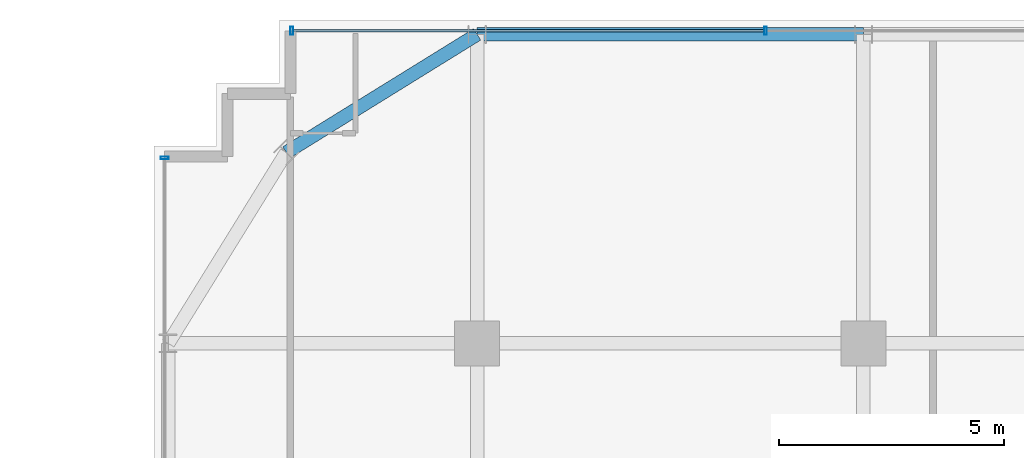
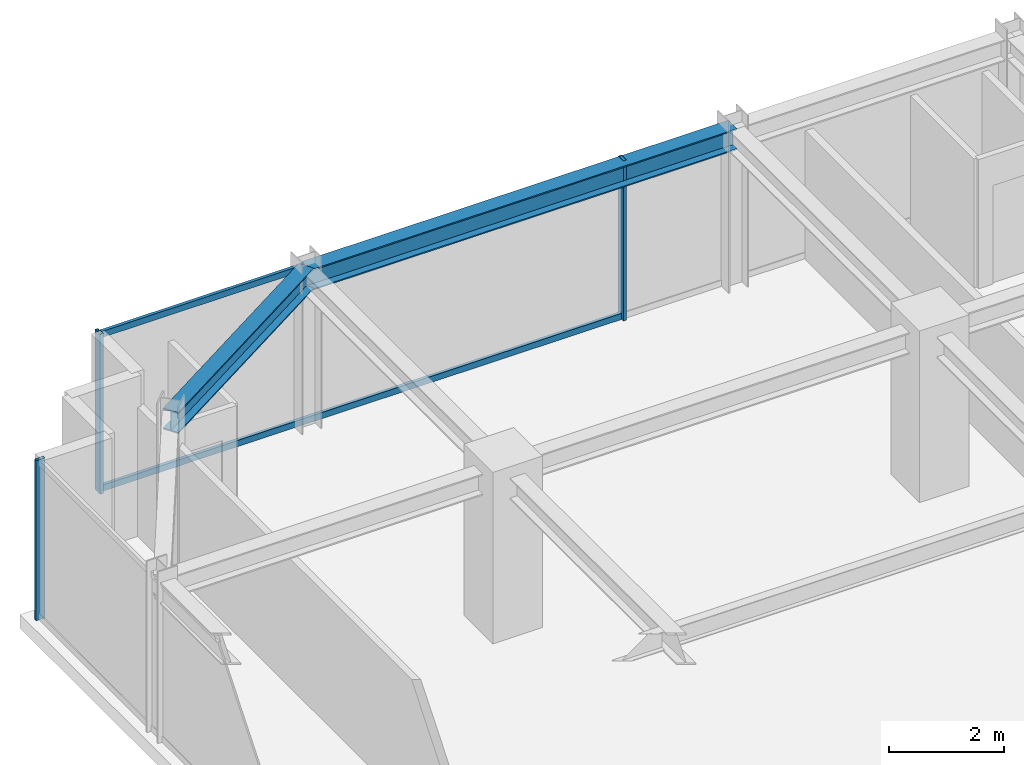
# One storey, part 19 of 32: 5 members, 2 beams, 2 elements without a shape of their own.
"""IFC4 building model written with IfcOpenShell, lengths in metres."""

from ifc_helpers import new_model, si_unit, direction, frame, origin, origin_2d, place, context, subcontext, project, spatial, hollow_rectangle, i_section, extrude, source, transform, mapped, material, material_profile, profile_set, type_object, element, aggregate, save


model = new_model("IFC4")

# Units and contexts
model_context = context("Model", 3, precision=1e-05, world=origin(), true_north=direction((0.0, 1.0)))
body_context = subcontext(model_context, "Body", "Model", "MODEL_VIEW")
ifc_project = project(units=[si_unit("LENGTHUNIT", "METRE"), si_unit("AREAUNIT", "SQUARE_METRE"), si_unit("VOLUMEUNIT", "CUBIC_METRE"), si_unit("PLANEANGLEUNIT", "RADIAN"), si_unit("MASSUNIT", "GRAM", prefix="KILO")], contexts=[model_context])

# Site, building, storey
site_placement = place(None, origin())
site = spatial("IfcSite", under=ifc_project, at=site_placement, CompositionType="ELEMENT")
building_placement = place(site_placement, origin())
building = spatial("IfcBuilding", under=site, at=building_placement, Name="Nahalor Promenade Grand Hotel", CompositionType="ELEMENT")
storey_placement = place(building_placement, frame((0.0, 0.0, 230.800048828125)))
storey = spatial("IfcBuildingStorey", under=building, at=storey_placement, Name="L59", CompositionType="ELEMENT", Elevation=230.800048828125)

# Beams
ifc_material_1 = material(Name="Steel S355JR", Category="steel")
ifc_material_profile_1 = material_profile(ifc_material_1, i_section(OverallWidth=0.3, OverallDepth=0.45, WebThickness=0.014, FlangeThickness=0.026, at=origin_2d()), Name="HEB 450")
ifc_profile_set_1 = profile_set([ifc_material_profile_1], Name="Steel S355JR")
beam_type = type_object("IfcBeamType", Name="Beam-Spandrel-HEB450", PredefinedType="SPANDREL", material=ifc_profile_set_1)
shared_shape_1 = source(origin(), body_context, "Body", "SweptSolid", [
    extrude(i_section(OverallWidth=0.3, OverallDepth=0.45, WebThickness=0.014, FlangeThickness=0.026, at=origin_2d()), origin(), (0.0, 0.0, 1.0), 8.60009765625),
])
beam_1_placement = place(storey_placement, frame((-17.0, 23.8798828125, 3.18505859375), z_axis=(1.0, 0.0, 0.0), x_axis=(0.0, 1.0, 0.0)))
element("IfcBeam", 1, at=beam_1_placement, inside=storey, type_object=beam_type, Name="BM-L59-SP-N-0", PredefinedType="SPANDREL", context=body_context, shape_type="MappedRepresentation", body=[
    mapped(shared_shape_1, transform((0.0, 0.0, 0.0), scale=1.0)),
])
shared_shape_2 = source(origin(), body_context, "Body", "SweptSolid", [
    extrude(i_section(OverallWidth=0.3, OverallDepth=0.45, WebThickness=0.014, FlangeThickness=0.026, at=origin_2d()), origin(), (0.0, 0.0, 1.0), 4.997802734375),
])
beam_2_placement = place(storey_placement, frame((-17.0, 23.8798828125, 3.18505859375), z_axis=(-0.850360908404, -0.526199891161, 0.0), x_axis=(0.526199891161, -0.850360908404, 0.0)))
element("IfcBeam", 2, at=beam_2_placement, inside=storey, type_object=beam_type, Name="BM-L59-SPC-NW-1", PredefinedType="SPANDREL", context=body_context, shape_type="MappedRepresentation", body=[
    mapped(shared_shape_2, transform((0.0, 0.0, 0.0), scale=1.0)),
])

# Curtain wall, members
ifc_material_2 = material(Name="Anodised Bronze Aluminium EN AW-6063 T6", Category="aluminium")
curtain_wall_type = type_object("IfcCurtainWallType", Name="CW2 Typical Hotel Flush Bronze Unitised Curtain Wall", PredefinedType="USERDEFINED", material=ifc_material_2)
curtain_wall_1_placement = place(storey_placement, origin())
curtain_wall_1 = element("IfcCurtainWall", 3, at=curtain_wall_1_placement, inside=storey, type_object=curtain_wall_type, Name="L59 Curtain Wall CW-L59-N-1", ObjectType="UNITISED_CURTAIN_WALL", PredefinedType="USERDEFINED")
ifc_material_profile_2 = material_profile(ifc_material_2, hollow_rectangle(XDim=0.065, YDim=0.13, WallThickness=0.004, at=origin_2d()), Name="CWT 65x130x4")
ifc_profile_set_2 = profile_set([ifc_material_profile_2], Name="Anodised Bronze Aluminium EN AW-6063 T6")
member_type_1 = type_object("IfcMemberType", Name="CWT2 Typical Bronze Transom 65x130", PredefinedType="USERDEFINED", material=ifc_profile_set_2)
shared_shape_3 = source(origin(), body_context, "Body", "SweptSolid", [
    extrude(hollow_rectangle(XDim=0.065, YDim=0.13, WallThickness=0.004, at=origin_2d()), origin(), (0.0, 0.0, 1.0), 10.482421875),
])
member_1_placement = place(storey_placement, frame((-21.094970703125, 23.9599609375, 0.06494140625), z_axis=(1.0, 0.0, 0.0), x_axis=(0.0, 1.0, 0.0)))
member_1 = element("IfcMember", 4, at=member_1_placement, type_object=member_type_1, Name="CW-L59-N-1 Transom 0-0", ObjectType="TRANSOM", PredefinedType="USERDEFINED", context=body_context, shape_type="MappedRepresentation", body=[
    mapped(shared_shape_3, transform((0.0, 0.0, 0.0), scale=1.0)),
])
member_2_placement = place(storey_placement, frame((-21.094970703125, 23.9599609375, 3.344970703125), z_axis=(1.0, 0.0, 0.0), x_axis=(0.0, 1.0, 0.0)))
member_2 = element("IfcMember", 5, at=member_2_placement, type_object=member_type_1, Name="CW-L59-N-1 Transom 0-1", ObjectType="TRANSOM", PredefinedType="USERDEFINED", context=body_context, shape_type="MappedRepresentation", body=[
    mapped(shared_shape_3, transform((0.0, 0.0, 0.0), scale=1.0)),
])
ifc_material_profile_3 = material_profile(ifc_material_2, hollow_rectangle(XDim=0.065, YDim=0.18, WallThickness=0.004, at=origin_2d()), Name="CWM 65x180x4")
ifc_profile_set_3 = profile_set([ifc_material_profile_3], Name="Anodised Bronze Aluminium EN AW-6063 T6")
member_type_2 = type_object("IfcMemberType", Name="CWM2 Typical Bronze Mullion 65x180", PredefinedType="MULLION", material=ifc_profile_set_3)
shared_shape_4 = source(origin(), body_context, "Body", "SweptSolid", [
    extrude(hollow_rectangle(XDim=0.065, YDim=0.18, WallThickness=0.004, at=origin_2d()), origin(), (0.0, 0.0, 1.0), 3.409912109375),
])
member_3_placement = place(storey_placement, frame((-21.12744140625, 23.9599609375, 0.0), z_axis=(0.0, 0.0, 1.0), x_axis=(1.0, 0.0, 0.0)))
member_3 = element("IfcMember", 6, at=member_3_placement, type_object=member_type_2, Name="CW-L59-N-1 Mullion 0", PredefinedType="MULLION", context=body_context, shape_type="MappedRepresentation", body=[
    mapped(shared_shape_4, transform((0.0, 0.0, 0.0), scale=1.0)),
])
member_4_placement = place(storey_placement, frame((-10.580078125, 23.9599609375, 0.0), z_axis=(0.0, 0.0, 1.0), x_axis=(1.0, 0.0, 0.0)))
member_4 = element("IfcMember", 7, at=member_4_placement, type_object=member_type_2, Name="CW-L59-N-1 Mullion 1", PredefinedType="MULLION", context=body_context, shape_type="MappedRepresentation", body=[
    mapped(shared_shape_4, transform((0.0, 0.0, 0.0), scale=1.0)),
])
aggregate(curtain_wall_1, [member_3, member_4, member_1, member_2])

# Curtain wall, member
curtain_wall_2_placement = place(storey_placement, origin())
curtain_wall_2 = element("IfcCurtainWall", 8, at=curtain_wall_2_placement, inside=storey, type_object=curtain_wall_type, Name="L59 Curtain Wall CW-L59-W-3", ObjectType="UNITISED_CURTAIN_WALL", PredefinedType="USERDEFINED")
member_5_placement = place(storey_placement, frame((-23.9599609375, 21.12744140625, 0.0), z_axis=(0.0, 0.0, 1.0), x_axis=(0.0, 1.0, 0.0)))
member_5 = element("IfcMember", 9, at=member_5_placement, type_object=member_type_2, Name="CW-L59-W-3 Mullion 3", PredefinedType="MULLION", context=body_context, shape_type="MappedRepresentation", body=[
    mapped(shared_shape_4, transform((0.0, 0.0, 0.0), scale=1.0)),
])
aggregate(curtain_wall_2, [member_5])

save(model, "model.ifc")
